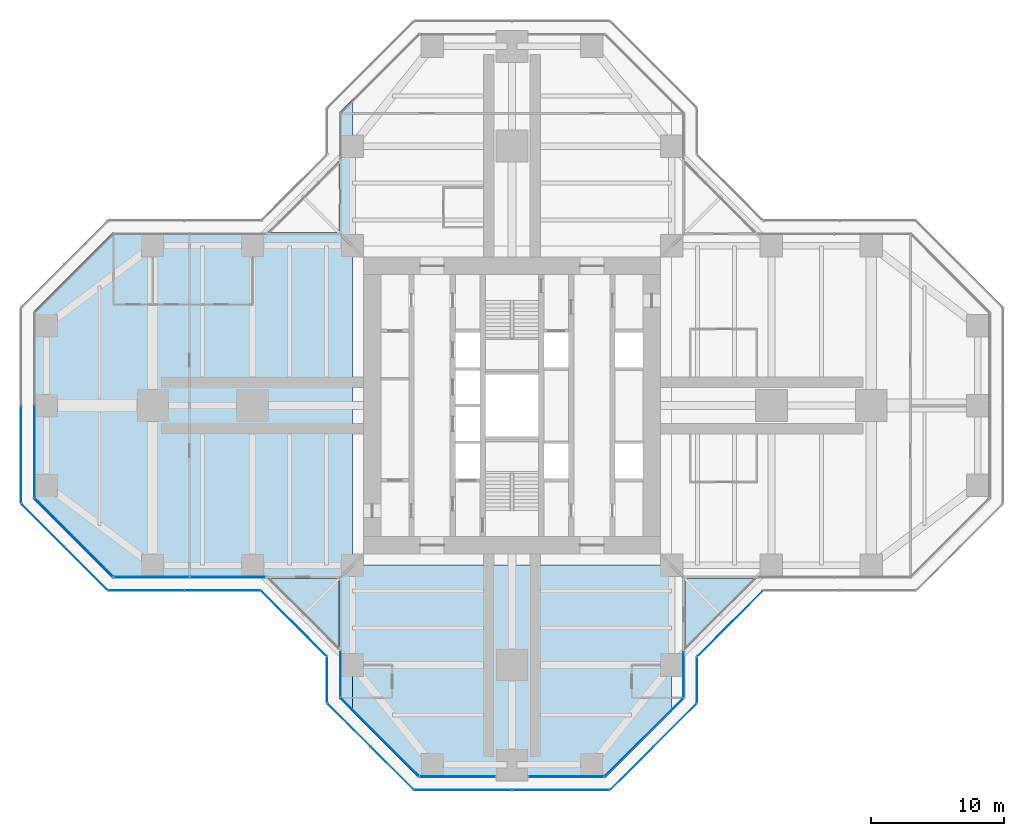
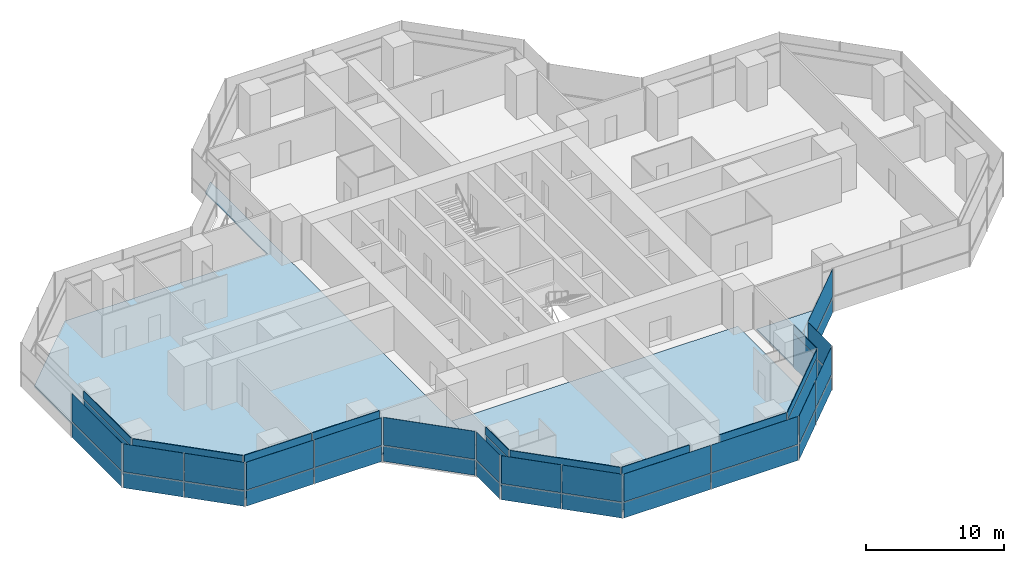
# One storey, part 12 of 19: 50 plates, 4 slabs, 19 elements without a shape of their own.
"""IFC4 building model written with IfcOpenShell, lengths in metres."""

from ifc_helpers import new_model, si_unit, direction, frame, origin, origin_2d, place, context, subcontext, project, spatial, polyline, rectangle, outline, extrude, material, layer, layer_set, type_object, element, aggregate, save


model = new_model("IFC4")

# Units and contexts
model_context = context("Model", 3, precision=1e-05, world=origin(), true_north=direction((0.0, 1.0)))
body_context = subcontext(model_context, "Body", "Model", "MODEL_VIEW")
ifc_project = project(units=[si_unit("LENGTHUNIT", "METRE"), si_unit("AREAUNIT", "SQUARE_METRE"), si_unit("VOLUMEUNIT", "CUBIC_METRE"), si_unit("PLANEANGLEUNIT", "RADIAN"), si_unit("MASSUNIT", "GRAM", prefix="KILO")], contexts=[model_context])

# Site, building, storey
site_placement = place(None, origin())
site = spatial("IfcSite", under=ifc_project, at=site_placement, CompositionType="ELEMENT")
building_placement = place(site_placement, origin())
building = spatial("IfcBuilding", under=site, at=building_placement, Name="Mizan Broadcast Tower", CompositionType="ELEMENT")
storey_placement = place(building_placement, frame((0.0, 0.0, 163.199951171875)))
storey = spatial("IfcBuildingStorey", under=building, at=storey_placement, Name="L37", CompositionType="ELEMENT", Elevation=163.199951171875)

# Slabs
ifc_material_1 = material(Name="Concrete C32/40", Category="concrete")
ifc_layer_1 = layer(ifc_material_1, 0.1298828125)
ifc_layer_set_1 = layer_set([ifc_layer_1], Name="Concrete C32/40")
slab_type_1 = type_object("IfcSlabType", Name="COMPOSITE DECK SLAB 130", PredefinedType="FLOOR", material=ifc_layer_set_1)
slab_1_placement = place(storey_placement, frame((0.0, 0.0, -0.1298828125)))
element("IfcSlab", 1, at=slab_1_placement, inside=storey, type_object=slab_type_1, Name="Floor slab L37 west arm", PredefinedType="FLOOR", context=body_context, shape_type="SweptSolid", body=[
    extrude(outline(polyline([(-13.0, -22.0), (-12.0, -23.0), (-12.0, 23.0), (-13.0, 22.0), (-13.0, 13.0), (-30.0, 13.0), (-36.0, 7.0), (-36.0, -7.0), (-30.0, -13.0), (-13.0, -13.0), (-13.0, -22.0)])), origin(), (0.0, 0.0, 1.0), 0.1298828125),
])
slab_2_placement = place(storey_placement, frame((0.0, 0.0, -0.1298828125)))
element("IfcSlab", 2, at=slab_2_placement, inside=storey, type_object=slab_type_1, Name="Floor slab L37 south arm", PredefinedType="FLOOR", context=body_context, shape_type="SweptSolid", body=[
    extrude(outline(polyline([(7.0, -28.0), (12.0, -23.0), (12.0, -12.0), (-12.0, -12.0), (-12.0, -23.0), (-7.0, -28.0), (7.0, -28.0)])), origin(), (0.0, 0.0, 1.0), 0.1298828125),
])

# Curtain wall, plate
ifc_material_2 = material(Name="Aluminium framed glazing", Category="aluminium")
curtain_wall_type_1 = type_object("IfcCurtainWallType", Name="INNER SKIN MID ZONE", PredefinedType="USERDEFINED", material=ifc_material_2)
curtain_wall_1_placement = place(storey_placement, origin())
curtain_wall_1 = element("IfcCurtainWall", 3, at=curtain_wall_1_placement, inside=storey, type_object=curtain_wall_type_1, Name="Inner skin mid zone L37 W end", ObjectType="INNER SKIN MID ZONE", PredefinedType="USERDEFINED")
ifc_material_3 = material(Name="Double glazing, clear low-e", Category="glass")
ifc_layer_2 = layer(ifc_material_3, 0.028076171875)
ifc_layer_set_2 = layer_set([ifc_layer_2], Name="Double glazing, clear low-e")
plate_type_1 = type_object("IfcPlateType", Name="INNER SKIN GLAZING UNIT", PredefinedType="CURTAIN_PANEL", material=ifc_layer_set_2)
plate_1_placement = place(storey_placement, frame((-35.89990234375, -3.46435546875, 0.0), z_axis=(0.0, 0.0, 1.0), x_axis=(0.0, -1.0, 0.0)))
plate_1 = element("IfcPlate", 4, at=plate_1_placement, type_object=plate_type_1, Name="Inner skin mid zone L37 W end panel 2.1", PredefinedType="CURTAIN_PANEL", context=body_context, shape_type="SweptSolid", body=[
    extrude(rectangle(XDim=6.86865234375, YDim=0.028076171875, at=origin_2d()), origin(), (0.0, 0.0, 1.0), 3.0),
])

curtain_wall_2_placement = place(storey_placement, origin())
curtain_wall_2 = element("IfcCurtainWall", 5, at=curtain_wall_2_placement, inside=storey, type_object=curtain_wall_type_1, Name="Inner skin mid zone L37 W chamfer", ObjectType="INNER SKIN MID ZONE", PredefinedType="USERDEFINED")
plate_2_placement = place(storey_placement, frame((-32.92919921875, -9.92919921875, 0.0), z_axis=(0.0, 0.0, 1.0), x_axis=(0.707106781187, -0.707106781187, 0.0)))
plate_2 = element("IfcPlate", 6, at=plate_2_placement, type_object=plate_type_1, Name="Inner skin mid zone L37 W chamfer panel 1.1", PredefinedType="CURTAIN_PANEL", context=body_context, shape_type="SweptSolid", body=[
    extrude(rectangle(XDim=8.282470703125, YDim=0.028076171875, at=origin_2d()), origin(), (0.0, 0.0, 1.0), 3.0),
])

# Curtain wall, plates
curtain_wall_3_placement = place(storey_placement, origin())
curtain_wall_3 = element("IfcCurtainWall", 7, at=curtain_wall_3_placement, inside=storey, type_object=curtain_wall_type_1, Name="Inner skin mid zone L37 W side", ObjectType="INNER SKIN MID ZONE", PredefinedType="USERDEFINED")
plate_3_placement = place(storey_placement, frame((-27.078857421875, -12.89990234375, 0.0), z_axis=(0.0, 0.0, 1.0), x_axis=(1.0, 0.0, 0.0)))
plate_3 = element("IfcPlate", 8, at=plate_3_placement, type_object=plate_type_1, Name="Inner skin mid zone L37 W side panel 1.1", PredefinedType="CURTAIN_PANEL", context=body_context, shape_type="SweptSolid", body=[
    extrude(rectangle(XDim=5.639404296875, YDim=0.028076171875, at=origin_2d()), origin(), (0.0, 0.0, 1.0), 3.0),
])
plate_4_placement = place(storey_placement, frame((-21.379638671875, -12.89990234375, 0.0), z_axis=(0.0, 0.0, 1.0), x_axis=(1.0, 0.0, 0.0)))
plate_4 = element("IfcPlate", 9, at=plate_4_placement, type_object=plate_type_1, Name="Inner skin mid zone L37 W side panel 2.1", PredefinedType="CURTAIN_PANEL", context=body_context, shape_type="SweptSolid", body=[
    extrude(rectangle(XDim=5.639404296875, YDim=0.028076171875, at=origin_2d()), origin(), (0.0, 0.0, 1.0), 3.0),
])

# Curtain wall, plate
curtain_wall_4_placement = place(storey_placement, origin())
curtain_wall_4 = element("IfcCurtainWall", 10, at=curtain_wall_4_placement, inside=storey, type_object=curtain_wall_type_1, Name="Inner skin mid zone L37 S side", ObjectType="INNER SKIN MID ZONE", PredefinedType="USERDEFINED")
plate_5_placement = place(storey_placement, frame((-12.89990234375, -20.229248046875, 0.0), z_axis=(0.0, 0.0, 1.0), x_axis=(0.0, -1.0, 0.0)))
plate_5 = element("IfcPlate", 11, at=plate_5_placement, type_object=plate_type_1, Name="Inner skin mid zone L37 S side panel 1.1", PredefinedType="CURTAIN_PANEL", context=body_context, shape_type="SweptSolid", body=[
    extrude(rectangle(XDim=3.338623046875, YDim=0.028076171875, at=origin_2d()), origin(), (0.0, 0.0, 1.0), 3.0),
])

curtain_wall_5_placement = place(storey_placement, origin())
curtain_wall_5 = element("IfcCurtainWall", 12, at=curtain_wall_5_placement, inside=storey, type_object=curtain_wall_type_1, Name="Inner skin mid zone L37 S chamfer", ObjectType="INNER SKIN MID ZONE", PredefinedType="USERDEFINED")
plate_6_placement = place(storey_placement, frame((-9.92919921875, -24.92919921875, 0.0), z_axis=(0.0, 0.0, 1.0), x_axis=(0.707106781187, -0.707106781187, 0.0)))
plate_6 = element("IfcPlate", 13, at=plate_6_placement, type_object=plate_type_1, Name="Inner skin mid zone L37 S chamfer panel 1.1", PredefinedType="CURTAIN_PANEL", context=body_context, shape_type="SweptSolid", body=[
    extrude(rectangle(XDim=8.282470703125, YDim=0.028076171875, at=origin_2d()), origin(), (0.0, 0.0, 1.0), 3.0),
])

curtain_wall_6_placement = place(storey_placement, origin())
curtain_wall_6 = element("IfcCurtainWall", 14, at=curtain_wall_6_placement, inside=storey, type_object=curtain_wall_type_1, Name="Inner skin mid zone L37 S end", ObjectType="INNER SKIN MID ZONE", PredefinedType="USERDEFINED")
plate_7_placement = place(storey_placement, frame((-4.079345703125, -27.89990234375, 0.0), z_axis=(0.0, 0.0, 1.0), x_axis=(1.0, 0.0, 0.0)))
plate_7 = element("IfcPlate", 15, at=plate_7_placement, type_object=plate_type_1, Name="Inner skin mid zone L37 S end panel 1.1", PredefinedType="CURTAIN_PANEL", context=body_context, shape_type="SweptSolid", body=[
    extrude(rectangle(XDim=5.638671875, YDim=0.028076171875, at=origin_2d()), origin(), (0.0, 0.0, 1.0), 3.0),
])

curtain_wall_7_placement = place(storey_placement, origin())
curtain_wall_7 = element("IfcCurtainWall", 16, at=curtain_wall_7_placement, inside=storey, type_object=curtain_wall_type_1, Name="Inner skin mid zone L37 S end", ObjectType="INNER SKIN MID ZONE", PredefinedType="USERDEFINED")
plate_8_placement = place(storey_placement, frame((4.079345703125, -27.89990234375, 0.0), z_axis=(0.0, 0.0, 1.0), x_axis=(1.0, 0.0, 0.0)))
plate_8 = element("IfcPlate", 17, at=plate_8_placement, type_object=plate_type_1, Name="Inner skin mid zone L37 S end panel 1.1", PredefinedType="CURTAIN_PANEL", context=body_context, shape_type="SweptSolid", body=[
    extrude(rectangle(XDim=5.638671875, YDim=0.028076171875, at=origin_2d()), origin(), (0.0, 0.0, 1.0), 3.0),
])

curtain_wall_8_placement = place(storey_placement, origin())
curtain_wall_8 = element("IfcCurtainWall", 18, at=curtain_wall_8_placement, inside=storey, type_object=curtain_wall_type_1, Name="Inner skin mid zone L37 S chamfer", ObjectType="INNER SKIN MID ZONE", PredefinedType="USERDEFINED")
plate_9_placement = place(storey_placement, frame((9.92919921875, -24.92919921875, 0.0), z_axis=(0.0, 0.0, 1.0), x_axis=(0.707106781187, 0.707106781187, 0.0)))
plate_9 = element("IfcPlate", 19, at=plate_9_placement, type_object=plate_type_1, Name="Inner skin mid zone L37 S chamfer panel 1.1", PredefinedType="CURTAIN_PANEL", context=body_context, shape_type="SweptSolid", body=[
    extrude(rectangle(XDim=8.282470703125, YDim=0.028076171875, at=origin_2d()), origin(), (0.0, 0.0, 1.0), 3.0),
])

curtain_wall_9_placement = place(storey_placement, origin())
curtain_wall_9 = element("IfcCurtainWall", 20, at=curtain_wall_9_placement, inside=storey, type_object=curtain_wall_type_1, Name="Inner skin mid zone L37 S side", ObjectType="INNER SKIN MID ZONE", PredefinedType="USERDEFINED")
plate_10_placement = place(storey_placement, frame((12.89990234375, -20.229248046875, 0.0), z_axis=(0.0, 0.0, 1.0), x_axis=(0.0, 1.0, 0.0)))
plate_10 = element("IfcPlate", 21, at=plate_10_placement, type_object=plate_type_1, Name="Inner skin mid zone L37 S side panel 1.1", PredefinedType="CURTAIN_PANEL", context=body_context, shape_type="SweptSolid", body=[
    extrude(rectangle(XDim=3.338623046875, YDim=0.028076171875, at=origin_2d()), origin(), (0.0, 0.0, 1.0), 3.0),
])

# Plate
ifc_material_4 = material(Name="Insulated aluminium spandrel panel, pale anodised", Category="aluminium")
ifc_layer_3 = layer(ifc_material_4, 0.050048828125)
ifc_layer_set_3 = layer_set([ifc_layer_3], Name="Insulated aluminium spandrel panel, pale anodised")
plate_type_2 = type_object("IfcPlateType", Name="INNER SKIN SPANDREL PANEL", PredefinedType="CURTAIN_PANEL", material=ifc_layer_set_3)
plate_11_placement = place(storey_placement, frame((-35.89990234375, -3.46435546875, 3.06005859375), z_axis=(0.0, 0.0, 1.0), x_axis=(0.0, -1.0, 0.0)))
plate_11 = element("IfcPlate", 22, at=plate_11_placement, type_object=plate_type_2, Name="Inner skin mid zone L37 W end panel 2.2", PredefinedType="CURTAIN_PANEL", context=body_context, shape_type="SweptSolid", body=[
    extrude(rectangle(XDim=6.86865234375, YDim=0.050048828125, at=origin_2d()), origin(), (0.0, 0.0, 1.0), 0.7099609375),
])

aggregate(curtain_wall_1, [plate_1, plate_11])

plate_12_placement = place(storey_placement, frame((-32.92919921875, -9.92919921875, 3.06005859375), z_axis=(0.0, 0.0, 1.0), x_axis=(0.707106781187, -0.707106781187, 0.0)))
plate_12 = element("IfcPlate", 23, at=plate_12_placement, type_object=plate_type_2, Name="Inner skin mid zone L37 W chamfer panel 1.2", PredefinedType="CURTAIN_PANEL", context=body_context, shape_type="SweptSolid", body=[
    extrude(rectangle(XDim=8.282470703125, YDim=0.050048828125, at=origin_2d()), origin(), (0.0, 0.0, 1.0), 0.7099609375),
])

aggregate(curtain_wall_2, [plate_2, plate_12])

plate_13_placement = place(storey_placement, frame((-27.078857421875, -12.89990234375, 3.06005859375), z_axis=(0.0, 0.0, 1.0), x_axis=(1.0, 0.0, 0.0)))
plate_13 = element("IfcPlate", 24, at=plate_13_placement, type_object=plate_type_2, Name="Inner skin mid zone L37 W side panel 1.2", PredefinedType="CURTAIN_PANEL", context=body_context, shape_type="SweptSolid", body=[
    extrude(rectangle(XDim=5.639404296875, YDim=0.050048828125, at=origin_2d()), origin(), (0.0, 0.0, 1.0), 0.7099609375),
])

plate_14_placement = place(storey_placement, frame((-21.379638671875, -12.89990234375, 3.06005859375), z_axis=(0.0, 0.0, 1.0), x_axis=(1.0, 0.0, 0.0)))
plate_14 = element("IfcPlate", 25, at=plate_14_placement, type_object=plate_type_2, Name="Inner skin mid zone L37 W side panel 2.2", PredefinedType="CURTAIN_PANEL", context=body_context, shape_type="SweptSolid", body=[
    extrude(rectangle(XDim=5.639404296875, YDim=0.050048828125, at=origin_2d()), origin(), (0.0, 0.0, 1.0), 0.7099609375),
])

aggregate(curtain_wall_3, [plate_3, plate_13, plate_4, plate_14])

plate_15_placement = place(storey_placement, frame((-12.89990234375, -20.229248046875, 3.06005859375), z_axis=(0.0, 0.0, 1.0), x_axis=(0.0, -1.0, 0.0)))
plate_15 = element("IfcPlate", 26, at=plate_15_placement, type_object=plate_type_2, Name="Inner skin mid zone L37 S side panel 1.2", PredefinedType="CURTAIN_PANEL", context=body_context, shape_type="SweptSolid", body=[
    extrude(rectangle(XDim=3.338623046875, YDim=0.050048828125, at=origin_2d()), origin(), (0.0, 0.0, 1.0), 0.7099609375),
])

aggregate(curtain_wall_4, [plate_5, plate_15])

plate_16_placement = place(storey_placement, frame((-9.92919921875, -24.92919921875, 3.06005859375), z_axis=(0.0, 0.0, 1.0), x_axis=(0.707106781187, -0.707106781187, 0.0)))
plate_16 = element("IfcPlate", 27, at=plate_16_placement, type_object=plate_type_2, Name="Inner skin mid zone L37 S chamfer panel 1.2", PredefinedType="CURTAIN_PANEL", context=body_context, shape_type="SweptSolid", body=[
    extrude(rectangle(XDim=8.282470703125, YDim=0.050048828125, at=origin_2d()), origin(), (0.0, 0.0, 1.0), 0.7099609375),
])

aggregate(curtain_wall_5, [plate_6, plate_16])

plate_17_placement = place(storey_placement, frame((-4.079345703125, -27.89990234375, 3.06005859375), z_axis=(0.0, 0.0, 1.0), x_axis=(1.0, 0.0, 0.0)))
plate_17 = element("IfcPlate", 28, at=plate_17_placement, type_object=plate_type_2, Name="Inner skin mid zone L37 S end panel 1.2", PredefinedType="CURTAIN_PANEL", context=body_context, shape_type="SweptSolid", body=[
    extrude(rectangle(XDim=5.638671875, YDim=0.050048828125, at=origin_2d()), origin(), (0.0, 0.0, 1.0), 0.7099609375),
])

aggregate(curtain_wall_6, [plate_7, plate_17])

plate_18_placement = place(storey_placement, frame((4.079345703125, -27.89990234375, 3.06005859375), z_axis=(0.0, 0.0, 1.0), x_axis=(1.0, 0.0, 0.0)))
plate_18 = element("IfcPlate", 29, at=plate_18_placement, type_object=plate_type_2, Name="Inner skin mid zone L37 S end panel 1.2", PredefinedType="CURTAIN_PANEL", context=body_context, shape_type="SweptSolid", body=[
    extrude(rectangle(XDim=5.638671875, YDim=0.050048828125, at=origin_2d()), origin(), (0.0, 0.0, 1.0), 0.7099609375),
])

aggregate(curtain_wall_7, [plate_8, plate_18])

plate_19_placement = place(storey_placement, frame((9.92919921875, -24.92919921875, 3.06005859375), z_axis=(0.0, 0.0, 1.0), x_axis=(0.707106781187, 0.707106781187, 0.0)))
plate_19 = element("IfcPlate", 30, at=plate_19_placement, type_object=plate_type_2, Name="Inner skin mid zone L37 S chamfer panel 1.2", PredefinedType="CURTAIN_PANEL", context=body_context, shape_type="SweptSolid", body=[
    extrude(rectangle(XDim=8.282470703125, YDim=0.050048828125, at=origin_2d()), origin(), (0.0, 0.0, 1.0), 0.7099609375),
])

aggregate(curtain_wall_8, [plate_9, plate_19])

plate_20_placement = place(storey_placement, frame((12.89990234375, -20.229248046875, 3.06005859375), z_axis=(0.0, 0.0, 1.0), x_axis=(0.0, 1.0, 0.0)))
plate_20 = element("IfcPlate", 31, at=plate_20_placement, type_object=plate_type_2, Name="Inner skin mid zone L37 S side panel 1.2", PredefinedType="CURTAIN_PANEL", context=body_context, shape_type="SweptSolid", body=[
    extrude(rectangle(XDim=3.338623046875, YDim=0.050048828125, at=origin_2d()), origin(), (0.0, 0.0, 1.0), 0.7099609375),
])

aggregate(curtain_wall_9, [plate_10, plate_20])

# Curtain wall, plates
ifc_material_5 = material(Name="Aluminium framed glazing", Category="aluminium")
curtain_wall_type_2 = type_object("IfcCurtainWallType", Name="OUTER SKIN", PredefinedType="USERDEFINED", material=ifc_material_5)
curtain_wall_10_placement = place(storey_placement, origin())
curtain_wall_10 = element("IfcCurtainWall", 32, at=curtain_wall_10_placement, inside=storey, type_object=curtain_wall_type_2, Name="Outer skin L37 W chamfer", ObjectType="OUTER SKIN", PredefinedType="USERDEFINED")
ifc_material_6 = material(Name="Laminated clear glass", Category="glass")
ifc_layer_4 = layer(ifc_material_6, 0.02001953125)
ifc_layer_set_4 = layer_set([ifc_layer_4], Name="Laminated clear glass")
plate_type_3 = type_object("IfcPlateType", Name="OUTER SKIN CLEAR GLASS", PredefinedType="CURTAIN_PANEL", material=ifc_layer_set_4)
plate_21_placement = place(storey_placement, frame((-35.254150390625, -9.018798828125, 0.0), z_axis=(0.0, 0.0, 1.0), x_axis=(0.707106781187, -0.707106781187, 0.0)))
plate_21 = element("IfcPlate", 33, at=plate_21_placement, type_object=plate_type_3, Name="Outer skin L37 W chamfer panel 1.1", PredefinedType="CURTAIN_PANEL", context=body_context, shape_type="SweptSolid", body=[
    extrude(rectangle(XDim=4.495361328125, YDim=0.02001953125, at=origin_2d()), origin(), (0.0, 0.0, 1.0), 1.3701171875),
])
plate_22_placement = place(storey_placement, frame((-35.254150390625, -9.018798828125, 1.43017578125), z_axis=(0.0, 0.0, 1.0), x_axis=(0.707106781187, -0.707106781187, 0.0)))
plate_22 = element("IfcPlate", 34, at=plate_22_placement, type_object=plate_type_3, Name="Outer skin L37 W chamfer panel 1.2", PredefinedType="CURTAIN_PANEL", context=body_context, shape_type="SweptSolid", body=[
    extrude(rectangle(XDim=4.495361328125, YDim=0.02001953125, at=origin_2d()), origin(), (0.0, 0.0, 1.0), 2.469970703125),
])

curtain_wall_11_placement = place(storey_placement, origin())
curtain_wall_11 = element("IfcCurtainWall", 35, at=curtain_wall_11_placement, inside=storey, type_object=curtain_wall_type_2, Name="Outer skin L37 W side", ObjectType="OUTER SKIN", PredefinedType="USERDEFINED")
plate_23_placement = place(storey_placement, frame((-27.477783203125, -13.89990234375, 0.0), z_axis=(0.0, 0.0, 1.0), x_axis=(1.0, 0.0, 0.0)))
plate_23 = element("IfcPlate", 36, at=plate_23_placement, type_object=plate_type_3, Name="Outer skin L37 W side panel 1.1", PredefinedType="CURTAIN_PANEL", context=body_context, shape_type="SweptSolid", body=[
    extrude(rectangle(XDim=5.6298828125, YDim=0.02001953125, at=origin_2d()), origin(), (0.0, 0.0, 1.0), 1.3701171875),
])
plate_24_placement = place(storey_placement, frame((-27.477783203125, -13.89990234375, 1.43017578125), z_axis=(0.0, 0.0, 1.0), x_axis=(1.0, 0.0, 0.0)))
plate_24 = element("IfcPlate", 37, at=plate_24_placement, type_object=plate_type_3, Name="Outer skin L37 W side panel 1.2", PredefinedType="CURTAIN_PANEL", context=body_context, shape_type="SweptSolid", body=[
    extrude(rectangle(XDim=5.6298828125, YDim=0.02001953125, at=origin_2d()), origin(), (0.0, 0.0, 1.0), 2.469970703125),
])

curtain_wall_12_placement = place(storey_placement, origin())
curtain_wall_12 = element("IfcCurtainWall", 38, at=curtain_wall_12_placement, inside=storey, type_object=curtain_wall_type_2, Name="Outer skin L37 W chamfer", ObjectType="OUTER SKIN", PredefinedType="USERDEFINED")
plate_25_placement = place(storey_placement, frame((-16.386474609375, -16.386474609375, 0.0), z_axis=(0.0, 0.0, 1.0), x_axis=(0.707106781187, -0.707106781187, 0.0)))
plate_25 = element("IfcPlate", 39, at=plate_25_placement, type_object=plate_type_3, Name="Outer skin L37 W chamfer panel 1.1", PredefinedType="CURTAIN_PANEL", context=body_context, shape_type="SweptSolid", body=[
    extrude(rectangle(XDim=6.87255859375, YDim=0.02001953125, at=origin_2d()), origin(), (0.0, 0.0, 1.0), 1.3701171875),
])
plate_26_placement = place(storey_placement, frame((-16.386474609375, -16.386474609375, 1.43017578125), z_axis=(0.0, 0.0, 1.0), x_axis=(0.707106781187, -0.707106781187, 0.0)))
plate_26 = element("IfcPlate", 40, at=plate_26_placement, type_object=plate_type_3, Name="Outer skin L37 W chamfer panel 1.2", PredefinedType="CURTAIN_PANEL", context=body_context, shape_type="SweptSolid", body=[
    extrude(rectangle(XDim=6.87255859375, YDim=0.02001953125, at=origin_2d()), origin(), (0.0, 0.0, 1.0), 2.469970703125),
])
aggregate(curtain_wall_12, [plate_25, plate_26])

curtain_wall_13_placement = place(storey_placement, origin())
curtain_wall_13 = element("IfcCurtainWall", 41, at=curtain_wall_13_placement, inside=storey, type_object=curtain_wall_type_2, Name="Outer skin L37 S side", ObjectType="OUTER SKIN", PredefinedType="USERDEFINED")
plate_27_placement = place(storey_placement, frame((-13.89990234375, -20.622802734375, 0.0), z_axis=(0.0, 0.0, 1.0), x_axis=(0.0, -1.0, 0.0)))
plate_27 = element("IfcPlate", 42, at=plate_27_placement, type_object=plate_type_3, Name="Outer skin L37 S side panel 1.1", PredefinedType="CURTAIN_PANEL", context=body_context, shape_type="SweptSolid", body=[
    extrude(rectangle(XDim=3.340087890625, YDim=0.02001953125, at=origin_2d()), origin(), (0.0, 0.0, 1.0), 1.3701171875),
])
plate_28_placement = place(storey_placement, frame((-13.89990234375, -20.622802734375, 1.43017578125), z_axis=(0.0, 0.0, 1.0), x_axis=(0.0, -1.0, 0.0)))
plate_28 = element("IfcPlate", 43, at=plate_28_placement, type_object=plate_type_3, Name="Outer skin L37 S side panel 1.2", PredefinedType="CURTAIN_PANEL", context=body_context, shape_type="SweptSolid", body=[
    extrude(rectangle(XDim=3.340087890625, YDim=0.02001953125, at=origin_2d()), origin(), (0.0, 0.0, 1.0), 2.469970703125),
])
aggregate(curtain_wall_13, [plate_27, plate_28])

curtain_wall_14_placement = place(storey_placement, origin())
curtain_wall_14 = element("IfcCurtainWall", 44, at=curtain_wall_14_placement, inside=storey, type_object=curtain_wall_type_2, Name="Outer skin L37 S chamfer", ObjectType="OUTER SKIN", PredefinedType="USERDEFINED")
plate_29_placement = place(storey_placement, frame((-12.254150390625, -24.018798828125, 0.0), z_axis=(0.0, 0.0, 1.0), x_axis=(0.707106781187, -0.707106781187, 0.0)))
plate_29 = element("IfcPlate", 45, at=plate_29_placement, type_object=plate_type_3, Name="Outer skin L37 S chamfer panel 1.1", PredefinedType="CURTAIN_PANEL", context=body_context, shape_type="SweptSolid", body=[
    extrude(rectangle(XDim=4.495361328125, YDim=0.02001953125, at=origin_2d()), origin(), (0.0, 0.0, 1.0), 1.3701171875),
])
plate_30_placement = place(storey_placement, frame((-12.254150390625, -24.018798828125, 1.43017578125), z_axis=(0.0, 0.0, 1.0), x_axis=(0.707106781187, -0.707106781187, 0.0)))
plate_30 = element("IfcPlate", 46, at=plate_30_placement, type_object=plate_type_3, Name="Outer skin L37 S chamfer panel 1.2", PredefinedType="CURTAIN_PANEL", context=body_context, shape_type="SweptSolid", body=[
    extrude(rectangle(XDim=4.495361328125, YDim=0.02001953125, at=origin_2d()), origin(), (0.0, 0.0, 1.0), 2.469970703125),
])

curtain_wall_15_placement = place(storey_placement, origin())
curtain_wall_15 = element("IfcCurtainWall", 47, at=curtain_wall_15_placement, inside=storey, type_object=curtain_wall_type_2, Name="Outer skin L37 S end", ObjectType="OUTER SKIN", PredefinedType="USERDEFINED")
plate_31_placement = place(storey_placement, frame((-3.66650390625, -28.89990234375, 0.0), z_axis=(0.0, 0.0, 1.0), x_axis=(1.0, 0.0, 0.0)))
plate_31 = element("IfcPlate", 48, at=plate_31_placement, type_object=plate_type_3, Name="Outer skin L37 S end panel 1.1", PredefinedType="CURTAIN_PANEL", context=body_context, shape_type="SweptSolid", body=[
    extrude(rectangle(XDim=7.252685546875, YDim=0.02001953125, at=origin_2d()), origin(), (0.0, 0.0, 1.0), 1.3701171875),
])
plate_32_placement = place(storey_placement, frame((-3.66650390625, -28.89990234375, 1.43017578125), z_axis=(0.0, 0.0, 1.0), x_axis=(1.0, 0.0, 0.0)))
plate_32 = element("IfcPlate", 49, at=plate_32_placement, type_object=plate_type_3, Name="Outer skin L37 S end panel 1.2", PredefinedType="CURTAIN_PANEL", context=body_context, shape_type="SweptSolid", body=[
    extrude(rectangle(XDim=7.252685546875, YDim=0.02001953125, at=origin_2d()), origin(), (0.0, 0.0, 1.0), 2.469970703125),
])

curtain_wall_16_placement = place(storey_placement, origin())
curtain_wall_16 = element("IfcCurtainWall", 50, at=curtain_wall_16_placement, inside=storey, type_object=curtain_wall_type_2, Name="Outer skin L37 S chamfer", ObjectType="OUTER SKIN", PredefinedType="USERDEFINED")
plate_33_placement = place(storey_placement, frame((9.018798828125, -27.254150390625, 0.0), z_axis=(0.0, 0.0, 1.0), x_axis=(0.707106781187, 0.707106781187, 0.0)))
plate_33 = element("IfcPlate", 51, at=plate_33_placement, type_object=plate_type_3, Name="Outer skin L37 S chamfer panel 1.1", PredefinedType="CURTAIN_PANEL", context=body_context, shape_type="SweptSolid", body=[
    extrude(rectangle(XDim=4.495361328125, YDim=0.02001953125, at=origin_2d()), origin(), (0.0, 0.0, 1.0), 1.3701171875),
])
plate_34_placement = place(storey_placement, frame((9.018798828125, -27.254150390625, 1.43017578125), z_axis=(0.0, 0.0, 1.0), x_axis=(0.707106781187, 0.707106781187, 0.0)))
plate_34 = element("IfcPlate", 52, at=plate_34_placement, type_object=plate_type_3, Name="Outer skin L37 S chamfer panel 1.2", PredefinedType="CURTAIN_PANEL", context=body_context, shape_type="SweptSolid", body=[
    extrude(rectangle(XDim=4.495361328125, YDim=0.02001953125, at=origin_2d()), origin(), (0.0, 0.0, 1.0), 2.469970703125),
])

curtain_wall_17_placement = place(storey_placement, origin())
curtain_wall_17 = element("IfcCurtainWall", 53, at=curtain_wall_17_placement, inside=storey, type_object=curtain_wall_type_2, Name="Outer skin L37 S side", ObjectType="OUTER SKIN", PredefinedType="USERDEFINED")
plate_35_placement = place(storey_placement, frame((13.89990234375, -20.622802734375, 0.0), z_axis=(0.0, 0.0, 1.0), x_axis=(0.0, 1.0, 0.0)))
plate_35 = element("IfcPlate", 54, at=plate_35_placement, type_object=plate_type_3, Name="Outer skin L37 S side panel 1.1", PredefinedType="CURTAIN_PANEL", context=body_context, shape_type="SweptSolid", body=[
    extrude(rectangle(XDim=3.340087890625, YDim=0.02001953125, at=origin_2d()), origin(), (0.0, 0.0, 1.0), 1.3701171875),
])
plate_36_placement = place(storey_placement, frame((13.89990234375, -20.622802734375, 1.43017578125), z_axis=(0.0, 0.0, 1.0), x_axis=(0.0, 1.0, 0.0)))
plate_36 = element("IfcPlate", 55, at=plate_36_placement, type_object=plate_type_3, Name="Outer skin L37 S side panel 1.2", PredefinedType="CURTAIN_PANEL", context=body_context, shape_type="SweptSolid", body=[
    extrude(rectangle(XDim=3.340087890625, YDim=0.02001953125, at=origin_2d()), origin(), (0.0, 0.0, 1.0), 2.469970703125),
])
aggregate(curtain_wall_17, [plate_35, plate_36])

curtain_wall_18_placement = place(storey_placement, origin())
curtain_wall_18 = element("IfcCurtainWall", 56, at=curtain_wall_18_placement, inside=storey, type_object=curtain_wall_type_2, Name="Outer skin L37 E chamfer", ObjectType="OUTER SKIN", PredefinedType="USERDEFINED")
plate_37_placement = place(storey_placement, frame((16.386474609375, -16.386474609375, 0.0), z_axis=(0.0, 0.0, 1.0), x_axis=(0.707106781187, 0.707106781187, 0.0)))
plate_37 = element("IfcPlate", 57, at=plate_37_placement, type_object=plate_type_3, Name="Outer skin L37 E chamfer panel 1.1", PredefinedType="CURTAIN_PANEL", context=body_context, shape_type="SweptSolid", body=[
    extrude(rectangle(XDim=6.87255859375, YDim=0.02001953125, at=origin_2d()), origin(), (0.0, 0.0, 1.0), 1.3701171875),
])
plate_38_placement = place(storey_placement, frame((16.386474609375, -16.386474609375, 1.43017578125), z_axis=(0.0, 0.0, 1.0), x_axis=(0.707106781187, 0.707106781187, 0.0)))
plate_38 = element("IfcPlate", 58, at=plate_38_placement, type_object=plate_type_3, Name="Outer skin L37 E chamfer panel 1.2", PredefinedType="CURTAIN_PANEL", context=body_context, shape_type="SweptSolid", body=[
    extrude(rectangle(XDim=6.87255859375, YDim=0.02001953125, at=origin_2d()), origin(), (0.0, 0.0, 1.0), 2.469970703125),
])
aggregate(curtain_wall_18, [plate_37, plate_38])

curtain_wall_19_placement = place(storey_placement, origin())
curtain_wall_19 = element("IfcCurtainWall", 59, at=curtain_wall_19_placement, inside=storey, type_object=curtain_wall_type_2, Name="Outer skin L37 W end", ObjectType="OUTER SKIN", PredefinedType="USERDEFINED")
ifc_material_7 = material(Name="Perforated aluminium, pale anodised", Category="aluminium")
ifc_layer_5 = layer(ifc_material_7, 0.011962890625)
ifc_layer_set_5 = layer_set([ifc_layer_5], Name="Perforated aluminium, pale anodised")
plate_type_4 = type_object("IfcPlateType", Name="OUTER SKIN PERFORATED SCREEN", PredefinedType="USERDEFINED", material=ifc_layer_set_5)
plate_39_placement = place(storey_placement, frame((-36.89990234375, -3.66650390625, 0.0), z_axis=(0.0, 0.0, 1.0), x_axis=(0.0, -1.0, 0.0)))
plate_39 = element("IfcPlate", 60, at=plate_39_placement, type_object=plate_type_4, Name="Outer skin L37 W end panel 2.1", ObjectType="SCREEN", PredefinedType="USERDEFINED", context=body_context, shape_type="SweptSolid", body=[
    extrude(rectangle(XDim=7.252685546875, YDim=0.011962890625, at=origin_2d()), origin(), (0.0, 0.0, 1.0), 1.3701171875),
])
plate_40_placement = place(storey_placement, frame((-36.89990234375, -3.66650390625, 1.43017578125), z_axis=(0.0, 0.0, 1.0), x_axis=(0.0, -1.0, 0.0)))
plate_40 = element("IfcPlate", 61, at=plate_40_placement, type_object=plate_type_4, Name="Outer skin L37 W end panel 2.2", ObjectType="SCREEN", PredefinedType="USERDEFINED", context=body_context, shape_type="SweptSolid", body=[
    extrude(rectangle(XDim=7.252685546875, YDim=0.011962890625, at=origin_2d()), origin(), (0.0, 0.0, 1.0), 2.469970703125),
])
aggregate(curtain_wall_19, [plate_39, plate_40])

# Plate
plate_41_placement = place(storey_placement, frame((-32.018798828125, -12.254150390625, 0.0), z_axis=(0.0, 0.0, 1.0), x_axis=(0.707106781187, -0.707106781187, 0.0)))
plate_41 = element("IfcPlate", 62, at=plate_41_placement, type_object=plate_type_4, Name="Outer skin L37 W chamfer panel 2.1", ObjectType="SCREEN", PredefinedType="USERDEFINED", context=body_context, shape_type="SweptSolid", body=[
    extrude(rectangle(XDim=4.495361328125, YDim=0.011962890625, at=origin_2d()), origin(), (0.0, 0.0, 1.0), 1.3701171875),
])

plate_42_placement = place(storey_placement, frame((-32.018798828125, -12.254150390625, 1.43017578125), z_axis=(0.0, 0.0, 1.0), x_axis=(0.707106781187, -0.707106781187, 0.0)))
plate_42 = element("IfcPlate", 63, at=plate_42_placement, type_object=plate_type_4, Name="Outer skin L37 W chamfer panel 2.2", ObjectType="SCREEN", PredefinedType="USERDEFINED", context=body_context, shape_type="SweptSolid", body=[
    extrude(rectangle(XDim=4.495361328125, YDim=0.011962890625, at=origin_2d()), origin(), (0.0, 0.0, 1.0), 2.469970703125),
])

aggregate(curtain_wall_10, [plate_21, plate_22, plate_41, plate_42])

plate_43_placement = place(storey_placement, frame((-21.767822265625, -13.89990234375, 0.0), z_axis=(0.0, 0.0, 1.0), x_axis=(1.0, 0.0, 0.0)))
plate_43 = element("IfcPlate", 64, at=plate_43_placement, type_object=plate_type_4, Name="Outer skin L37 W side panel 2.1", ObjectType="SCREEN", PredefinedType="USERDEFINED", context=body_context, shape_type="SweptSolid", body=[
    extrude(rectangle(XDim=5.6298828125, YDim=0.011962890625, at=origin_2d()), origin(), (0.0, 0.0, 1.0), 1.3701171875),
])

plate_44_placement = place(storey_placement, frame((-21.767822265625, -13.89990234375, 1.43017578125), z_axis=(0.0, 0.0, 1.0), x_axis=(1.0, 0.0, 0.0)))
plate_44 = element("IfcPlate", 65, at=plate_44_placement, type_object=plate_type_4, Name="Outer skin L37 W side panel 2.2", ObjectType="SCREEN", PredefinedType="USERDEFINED", context=body_context, shape_type="SweptSolid", body=[
    extrude(rectangle(XDim=5.6298828125, YDim=0.011962890625, at=origin_2d()), origin(), (0.0, 0.0, 1.0), 2.469970703125),
])

aggregate(curtain_wall_11, [plate_23, plate_24, plate_43, plate_44])

plate_45_placement = place(storey_placement, frame((-9.018798828125, -27.254150390625, 0.0), z_axis=(0.0, 0.0, 1.0), x_axis=(0.707106781187, -0.707106781187, 0.0)))
plate_45 = element("IfcPlate", 66, at=plate_45_placement, type_object=plate_type_4, Name="Outer skin L37 S chamfer panel 2.1", ObjectType="SCREEN", PredefinedType="USERDEFINED", context=body_context, shape_type="SweptSolid", body=[
    extrude(rectangle(XDim=4.495361328125, YDim=0.011962890625, at=origin_2d()), origin(), (0.0, 0.0, 1.0), 1.3701171875),
])

plate_46_placement = place(storey_placement, frame((-9.018798828125, -27.254150390625, 1.43017578125), z_axis=(0.0, 0.0, 1.0), x_axis=(0.707106781187, -0.707106781187, 0.0)))
plate_46 = element("IfcPlate", 67, at=plate_46_placement, type_object=plate_type_4, Name="Outer skin L37 S chamfer panel 2.2", ObjectType="SCREEN", PredefinedType="USERDEFINED", context=body_context, shape_type="SweptSolid", body=[
    extrude(rectangle(XDim=4.495361328125, YDim=0.011962890625, at=origin_2d()), origin(), (0.0, 0.0, 1.0), 2.469970703125),
])

aggregate(curtain_wall_14, [plate_29, plate_30, plate_45, plate_46])

plate_47_placement = place(storey_placement, frame((3.66650390625, -28.89990234375, 0.0), z_axis=(0.0, 0.0, 1.0), x_axis=(1.0, 0.0, 0.0)))
plate_47 = element("IfcPlate", 68, at=plate_47_placement, type_object=plate_type_4, Name="Outer skin L37 S end panel 2.1", ObjectType="SCREEN", PredefinedType="USERDEFINED", context=body_context, shape_type="SweptSolid", body=[
    extrude(rectangle(XDim=7.252685546875, YDim=0.011962890625, at=origin_2d()), origin(), (0.0, 0.0, 1.0), 1.3701171875),
])

plate_48_placement = place(storey_placement, frame((3.66650390625, -28.89990234375, 1.43017578125), z_axis=(0.0, 0.0, 1.0), x_axis=(1.0, 0.0, 0.0)))
plate_48 = element("IfcPlate", 69, at=plate_48_placement, type_object=plate_type_4, Name="Outer skin L37 S end panel 2.2", ObjectType="SCREEN", PredefinedType="USERDEFINED", context=body_context, shape_type="SweptSolid", body=[
    extrude(rectangle(XDim=7.252685546875, YDim=0.011962890625, at=origin_2d()), origin(), (0.0, 0.0, 1.0), 2.469970703125),
])

aggregate(curtain_wall_15, [plate_31, plate_32, plate_47, plate_48])

plate_49_placement = place(storey_placement, frame((12.254150390625, -24.018798828125, 0.0), z_axis=(0.0, 0.0, 1.0), x_axis=(0.707106781187, 0.707106781187, 0.0)))
plate_49 = element("IfcPlate", 70, at=plate_49_placement, type_object=plate_type_4, Name="Outer skin L37 S chamfer panel 2.1", ObjectType="SCREEN", PredefinedType="USERDEFINED", context=body_context, shape_type="SweptSolid", body=[
    extrude(rectangle(XDim=4.495361328125, YDim=0.011962890625, at=origin_2d()), origin(), (0.0, 0.0, 1.0), 1.3701171875),
])

plate_50_placement = place(storey_placement, frame((12.254150390625, -24.018798828125, 1.43017578125), z_axis=(0.0, 0.0, 1.0), x_axis=(0.707106781187, 0.707106781187, 0.0)))
plate_50 = element("IfcPlate", 71, at=plate_50_placement, type_object=plate_type_4, Name="Outer skin L37 S chamfer panel 2.2", ObjectType="SCREEN", PredefinedType="USERDEFINED", context=body_context, shape_type="SweptSolid", body=[
    extrude(rectangle(XDim=4.495361328125, YDim=0.011962890625, at=origin_2d()), origin(), (0.0, 0.0, 1.0), 2.469970703125),
])

aggregate(curtain_wall_16, [plate_33, plate_34, plate_49, plate_50])

# Slabs
ifc_material_8 = material(Name="Concrete C32/40", Category="concrete")
ifc_layer_6 = layer(ifc_material_8, 0.1298828125)
ifc_layer_set_6 = layer_set([ifc_layer_6], Name="Concrete C32/40")
slab_type_2 = type_object("IfcSlabType", Name="WINTER GARDEN SLAB 130", PredefinedType="FLOOR", material=ifc_layer_set_6)
slab_3_placement = place(storey_placement, frame((0.0, 0.0, -0.1298828125)))
element("IfcSlab", 72, at=slab_3_placement, inside=storey, type_object=slab_type_2, Name="Winter garden slab L37 W", PredefinedType="FLOOR", context=body_context, shape_type="SweptSolid", body=[
    extrude(outline(polyline([(-13.0, -13.0), (-18.5, -13.0), (-13.0, -18.5), (-13.0, -13.0)])), origin(), (0.0, 0.0, 1.0), 0.1298828125),
])
slab_4_placement = place(storey_placement, frame((0.0, 0.0, -0.1298828125)))
element("IfcSlab", 73, at=slab_4_placement, inside=storey, type_object=slab_type_2, Name="Winter garden slab L37 S", PredefinedType="FLOOR", context=body_context, shape_type="SweptSolid", body=[
    extrude(outline(polyline([(13.0, -13.0), (13.0, -18.5), (18.5, -13.0), (13.0, -13.0)])), origin(), (0.0, 0.0, 1.0), 0.1298828125),
])

save(model, "model.ifc")
